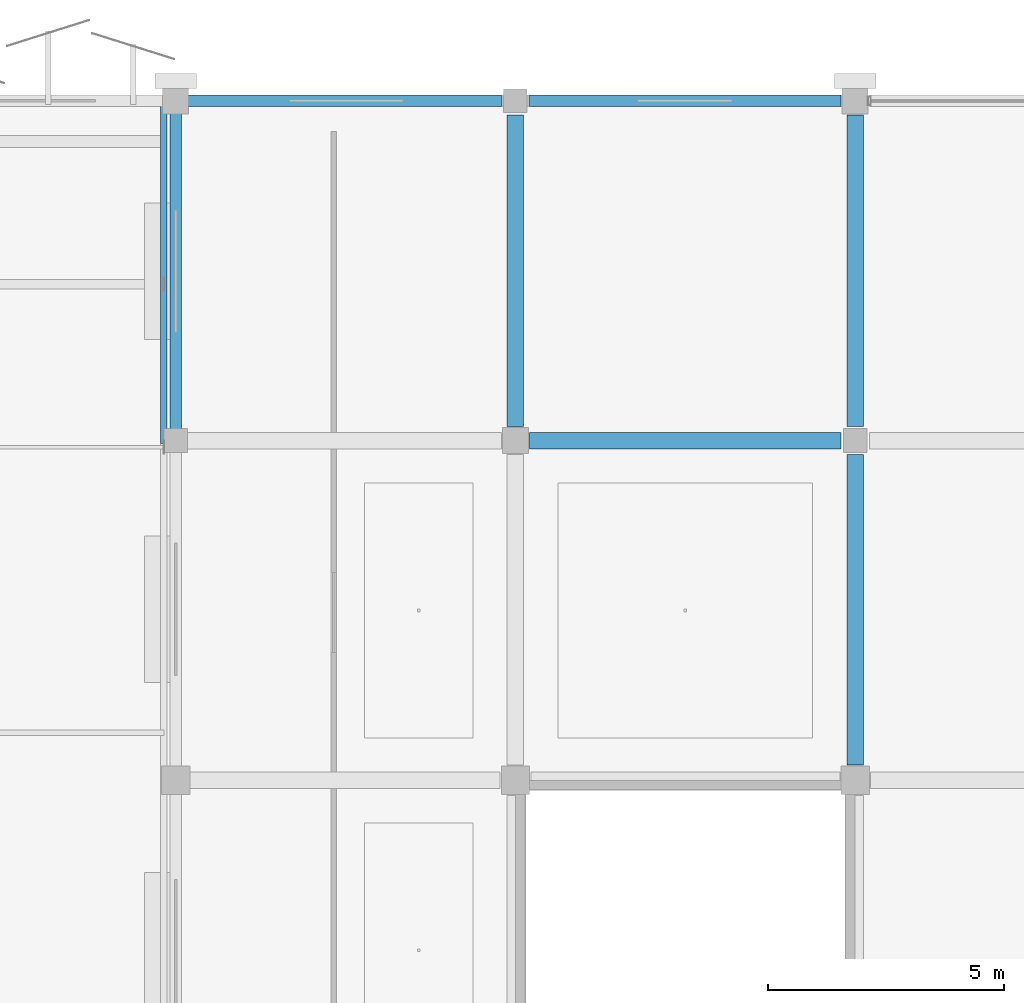
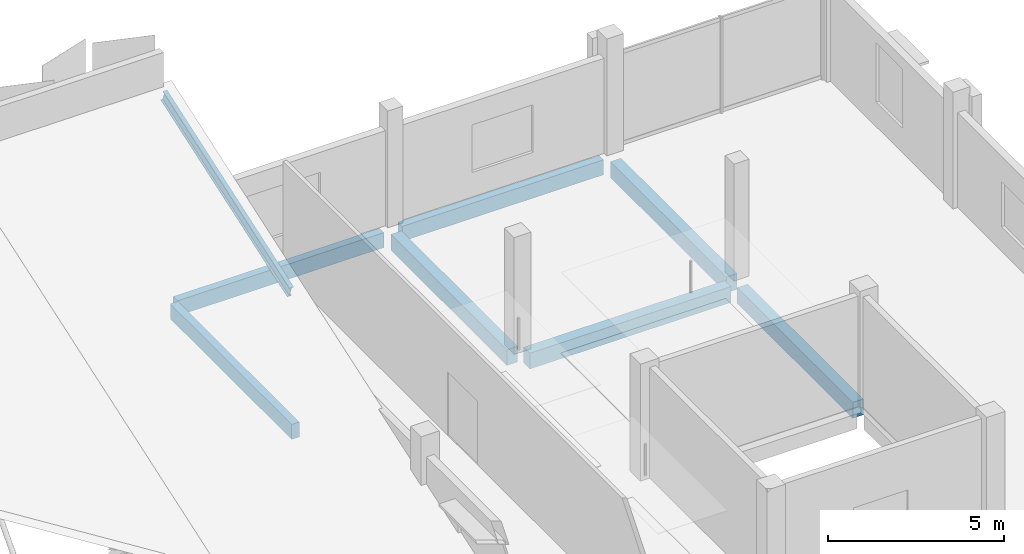
# One storey, part 25 of 59: 7 beams, 1 member.
"""IFC4 building model written with IfcOpenShell, lengths in metres."""

from ifc_helpers import new_model, si_unit, direction, frame, origin, origin_2d, place, context, subcontext, project, spatial, rectangle, i_section, extrude, material, material_profile, profile_set, type_object, element, save


model = new_model("IFC4")

# Units and contexts
model_context = context("Model", 3, precision=1e-05, world=origin(), true_north=direction((0.0, 1.0)))
body_context = subcontext(model_context, "Body", "Model", "MODEL_VIEW")
ifc_project = project(units=[si_unit("LENGTHUNIT", "METRE"), si_unit("AREAUNIT", "SQUARE_METRE"), si_unit("VOLUMEUNIT", "CUBIC_METRE"), si_unit("PLANEANGLEUNIT", "RADIAN"), si_unit("MASSUNIT", "GRAM", prefix="KILO")], contexts=[model_context])

# Site, building, storey
site_placement = place(None, origin())
site = spatial("IfcSite", under=ifc_project, at=site_placement, CompositionType="ELEMENT")
building_placement = place(site_placement, origin())
building = spatial("IfcBuilding", under=site, at=building_placement, Name="Kangsadwip Square Police Headquarters", CompositionType="ELEMENT")
storey_placement = place(building_placement, frame((0.0, 0.0, 21.60009765625)))
storey = spatial("IfcBuildingStorey", under=building, at=storey_placement, Name="L05", CompositionType="ELEMENT", Elevation=21.60009765625)

# Beams
ifc_material_1 = material(Name="Concrete M35 (35 MPa)", Category="concrete")
ifc_material_profile_1 = material_profile(ifc_material_1, rectangle(XDim=0.35009765625, YDim=0.550048828125, at=origin_2d()), Name="RC BM 550X350")
ifc_profile_set_1 = profile_set([ifc_material_profile_1], Name="Concrete M35 (35 MPa)")
beam_type_1 = type_object("IfcBeamType", Name="RcBeam550x350", PredefinedType="BEAM", material=ifc_profile_set_1)
beam_1_placement = place(storey_placement, frame((151.5, 108.0, -0.4951171875), z_axis=(1.0, 0.0, 0.0), x_axis=(0.0, 1.0, 0.0)))
element("IfcBeam", 1, at=beam_1_placement, inside=storey, type_object=beam_type_1, Name="Beam BM-L05-X-21-15", PredefinedType="BEAM", context=body_context, shape_type="SweptSolid", body=[
    extrude(rectangle(XDim=0.35009765625, YDim=0.550048828125, at=origin_2d()), origin(), (0.0, 0.0, 1.0), 6.60009765625),
])
beam_2_placement = place(storey_placement, frame((151.199951171875, 108.300048828125, -0.4951171875), z_axis=(0.0, 1.0, 0.0), x_axis=(-1.0, 0.0, 0.0)))
element("IfcBeam", 2, at=beam_2_placement, inside=storey, type_object=beam_type_1, Name="Beam BM-L05-Y-21-15", PredefinedType="BEAM", context=body_context, shape_type="SweptSolid", body=[
    extrude(rectangle(XDim=0.35009765625, YDim=0.550048828125, at=origin_2d()), origin(), (0.0, 0.0, 1.0), 6.599853515625),
])
beam_3_placement = place(storey_placement, frame((158.39990234375, 101.125, -0.4951171875), z_axis=(0.0, 1.0, 0.0), x_axis=(-1.0, 0.0, 0.0)))
element("IfcBeam", 3, at=beam_3_placement, inside=storey, type_object=beam_type_1, Name="Beam BM-L05-Y-22-14", PredefinedType="BEAM", context=body_context, shape_type="SweptSolid", body=[
    extrude(rectangle(XDim=0.35009765625, YDim=0.550048828125, at=origin_2d()), origin(), (0.0, 0.0, 1.0), 6.574951171875),
])
beam_4_placement = place(storey_placement, frame((158.39990234375, 108.300048828125, -0.4951171875), z_axis=(0.0, 1.0, 0.0), x_axis=(-1.0, 0.0, 0.0)))
element("IfcBeam", 4, at=beam_4_placement, inside=storey, type_object=beam_type_1, Name="Beam BM-L05-Y-22-15", PredefinedType="BEAM", context=body_context, shape_type="SweptSolid", body=[
    extrude(rectangle(XDim=0.35009765625, YDim=0.550048828125, at=origin_2d()), origin(), (0.0, 0.0, 1.0), 6.599853515625),
])
ifc_material_2 = material(Name="Concrete M35 (35 MPa)", Category="concrete")
ifc_material_profile_2 = material_profile(ifc_material_2, rectangle(XDim=0.25, YDim=0.52001953125, at=origin_2d()), Name="RC SPN 520X250")
ifc_profile_set_2 = profile_set([ifc_material_profile_2], Name="Concrete M35 (35 MPa)")
beam_type_2 = type_object("IfcBeamType", Name="RcSpandrel520x250", PredefinedType="SPANDREL", material=ifc_profile_set_2)
beam_5_placement = place(storey_placement, frame((144.0, 108.14990234375, -0.47998046875), z_axis=(0.0, 1.0, 0.0), x_axis=(-1.0, 0.0, 0.0)))
element("IfcBeam", 5, at=beam_5_placement, inside=storey, type_object=beam_type_2, Name="Beam BM-L05-Y-20-15", PredefinedType="SPANDREL", context=body_context, shape_type="SweptSolid", body=[
    extrude(rectangle(XDim=0.25, YDim=0.52001953125, at=origin_2d()), origin(), (0.0, 0.0, 1.0), 6.900146484375),
])
beam_6_placement = place(storey_placement, frame((144.125, 115.199951171875, -0.47998046875), z_axis=(1.0, 0.0, 0.0), x_axis=(0.0, 1.0, 0.0)))
element("IfcBeam", 6, at=beam_6_placement, inside=storey, type_object=beam_type_2, Name="Beam BM-L05-X-20-16", PredefinedType="SPANDREL", context=body_context, shape_type="SweptSolid", body=[
    extrude(rectangle(XDim=0.25, YDim=0.52001953125, at=origin_2d()), origin(), (0.0, 0.0, 1.0), 6.77490234375),
])
beam_7_placement = place(storey_placement, frame((151.5, 115.199951171875, -0.47998046875), z_axis=(1.0, 0.0, 0.0), x_axis=(0.0, 1.0, 0.0)))
element("IfcBeam", 7, at=beam_7_placement, inside=storey, type_object=beam_type_2, Name="Beam BM-L05-X-21-16", PredefinedType="SPANDREL", context=body_context, shape_type="SweptSolid", body=[
    extrude(rectangle(XDim=0.25, YDim=0.52001953125, at=origin_2d()), origin(), (0.0, 0.0, 1.0), 6.60009765625),
])

# Member
ifc_material_3 = material(Name="Structural steel IS 2062 E350 (Grade 350, 350 MPa)", Category="steel")
ifc_material_profile_3 = material_profile(ifc_material_3, i_section(OverallWidth=0.139892578125, OverallDepth=0.39990234375, WebThickness=0.0087890625, FlangeThickness=0.01611328125, at=origin_2d()), Name="ISMB 400")
ifc_profile_set_3 = profile_set([ifc_material_profile_3], Name="Structural steel IS 2062 E350 (Grade 350, 350 MPa)")
member_type = type_object("IfcMemberType", Name="SawtoothRafterIsmb400", PredefinedType="RAFTER", material=ifc_profile_set_3)
member_placement = place(storey_placement, frame((143.75, 108.0, 4.51318359375), z_axis=(0.0, 0.946016781172, 0.324117647993), x_axis=(-1.0, 0.0, 0.0)))
element("IfcMember", 8, at=member_placement, inside=storey, type_object=member_type, Name="Truss Member MEM-L05-0196", PredefinedType="RAFTER", context=body_context, shape_type="SweptSolid", body=[
    extrude(i_section(OverallWidth=0.139892578125, OverallDepth=0.39990234375, WebThickness=0.0087890625, FlangeThickness=0.01611328125, at=origin_2d()), origin(), (0.0, 0.0, 1.0), 7.61083984375),
])

save(model, "model.ifc")
